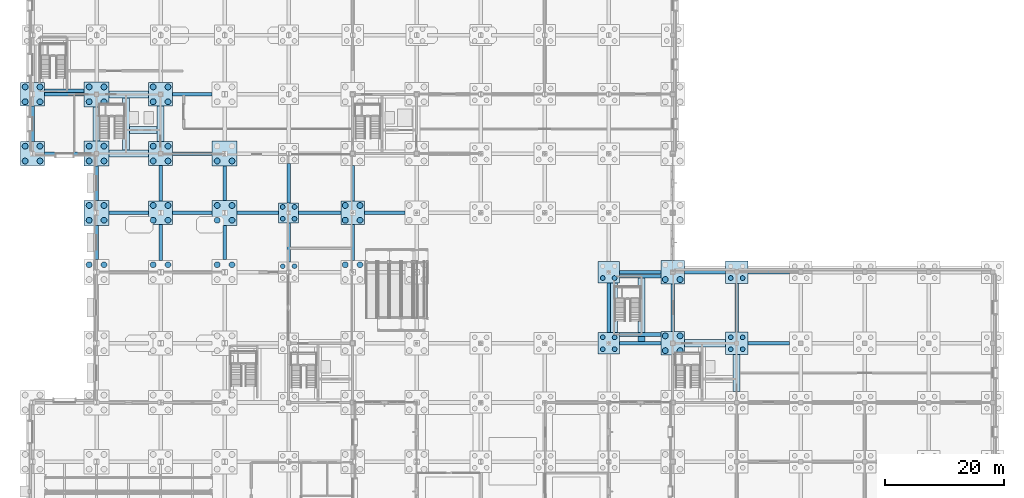
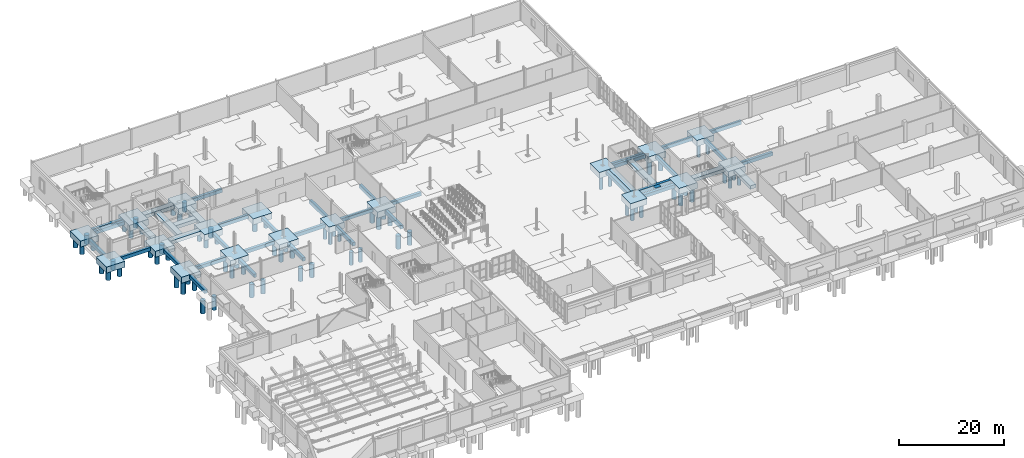
# One storey, part 4 of 73: 74 piles, 60 footings.
"""IFC4 building model written with IfcOpenShell, lengths in metres."""

from ifc_helpers import new_model, si_unit, direction, frame, origin, origin_2d, place, context, subcontext, project, spatial, rectangle, circle, extrude, material, material_profile, profile_set, type_object, element, save


model = new_model("IFC4")

# Units and contexts
model_context = context("Model", 3, precision=1e-05, world=origin(), true_north=direction((0.0, 1.0)))
body_context = subcontext(model_context, "Body", "Model", "MODEL_VIEW")
ifc_project = project(units=[si_unit("LENGTHUNIT", "METRE"), si_unit("AREAUNIT", "SQUARE_METRE"), si_unit("VOLUMEUNIT", "CUBIC_METRE"), si_unit("PLANEANGLEUNIT", "RADIAN"), si_unit("MASSUNIT", "GRAM", prefix="KILO")], contexts=[model_context])

# Site, building, storey
site_placement = place(None, origin())
site = spatial("IfcSite", under=ifc_project, at=site_placement, CompositionType="ELEMENT")
building_placement = place(site_placement, origin())
building = spatial("IfcBuilding", under=site, at=building_placement, Name="Tasgan Crest Museum", CompositionType="ELEMENT")
storey_placement = place(building_placement, origin())
storey = spatial("IfcBuildingStorey", under=building, at=storey_placement, Name="L00", CompositionType="ELEMENT", Elevation=0.0)

# Footings
ifc_material_1 = material(Name="Concrete C35/45", Category="concrete")
footing_type_1 = type_object("IfcFootingType", Name="FT-PC4-3400", PredefinedType="PILE_CAP", material=ifc_material_1)
footing_1_placement = place(storey_placement, frame((43.199951171875, 72.0, -1.39990234375), z_axis=(0.0, 0.0, 1.0), x_axis=(1.0, 0.0, 0.0)))
element("IfcFooting", 1, at=footing_1_placement, inside=storey, type_object=footing_type_1, Name="Pile cap 5/H", PredefinedType="PILE_CAP", context=body_context, shape_type="SweptSolid", body=[
    extrude(rectangle(XDim=3.39990234375, YDim=3.39990234375, at=origin_2d()), origin(), (0.0, 0.0, 1.0), 1.39990234375),
])
ifc_material_2 = material(Name="Concrete C35/45", Category="concrete")
footing_type_2 = type_object("IfcFootingType", Name="FT-PC4-3600", PredefinedType="PILE_CAP", material=ifc_material_2)
for number, where, z_axis, x_axis, name in (
    (2, (97.199951171875, 50.0, -1.39990234375), (0.0, 0.0, 1.0), (1.0, 0.0, 0.0), "Pile cap 10/F"),
    (3, (97.199951171875, 62.0, -1.39990234375), (0.0, 0.0, 1.0), (1.0, 0.0, 0.0), "Pile cap 10/G"),
):
    element("IfcFooting", number, at=place(storey_placement, frame(where, z_axis=z_axis, x_axis=x_axis)), inside=storey, type_object=footing_type_2, Name=name, PredefinedType="PILE_CAP", context=body_context, shape_type="SweptSolid", body=[
        extrude(rectangle(XDim=3.60009765625, YDim=3.60009765625, at=origin_2d()), origin(), (0.0, 0.0, 1.0), 1.39990234375),
    ])
ifc_material_3 = material(Name="Concrete C35/45", Category="concrete")
footing_type_3 = type_object("IfcFootingType", Name="FT-PC4-3800", PredefinedType="PILE_CAP", material=ifc_material_3)
for number, where, z_axis, x_axis, name in (
    (4, (118.800048828125, 50.0, -1.39990234375), (0.0, 0.0, 1.0), (1.0, 0.0, 0.0), "Pile cap 12/F"),
    (5, (118.800048828125, 62.0, -1.39990234375), (0.0, 0.0, 1.0), (1.0, 0.0, 0.0), "Pile cap 12/G"),
):
    element("IfcFooting", number, at=place(storey_placement, frame(where, z_axis=z_axis, x_axis=x_axis)), inside=storey, type_object=footing_type_3, Name=name, PredefinedType="PILE_CAP", context=body_context, shape_type="SweptSolid", body=[
        extrude(rectangle(XDim=3.800048828125, YDim=3.800048828125, at=origin_2d()), origin(), (0.0, 0.0, 1.0), 1.39990234375),
    ])
ifc_material_4 = material(Name="Concrete C35/45", Category="concrete")
footing_type_4 = type_object("IfcFootingType", Name="FT-PC4-4000", PredefinedType="PILE_CAP", material=ifc_material_4)
for number, where, z_axis, x_axis, name in (
    (6, (0.0, 82.0, -1.39990234375), (0.0, 0.0, 1.0), (1.0, 0.0, 0.0), "Pile cap 1/J"),
    (7, (0.0, 92.0, -1.39990234375), (0.0, 0.0, 1.0), (1.0, 0.0, 0.0), "Pile cap 1/K"),
    (8, (21.60009765625, 72.0, -1.39990234375), (0.0, 0.0, 1.0), (1.0, 0.0, 0.0), "Pile cap 3/H"),
    (9, (21.60009765625, 82.0, -1.39990234375), (0.0, 0.0, 1.0), (1.0, 0.0, 0.0), "Pile cap 3/J"),
    (10, (21.60009765625, 92.0, -1.39990234375), (0.0, 0.0, 1.0), (1.0, 0.0, 0.0), "Pile cap 3/K"),
    (11, (54.0, 72.0, -1.39990234375), (0.0, 0.0, 1.0), (1.0, 0.0, 0.0), "Pile cap 6/H"),
    (12, (108.0, 50.0, -1.39990234375), (0.0, 0.0, 1.0), (1.0, 0.0, 0.0), "Pile cap 11/F"),
    (13, (108.0, 62.0, -1.39990234375), (0.0, 0.0, 1.0), (1.0, 0.0, 0.0), "Pile cap 11/G"),
):
    element("IfcFooting", number, at=place(storey_placement, frame(where, z_axis=z_axis, x_axis=x_axis)), inside=storey, type_object=footing_type_4, Name=name, PredefinedType="PILE_CAP", context=body_context, shape_type="SweptSolid", body=[
        extrude(rectangle(XDim=4.0, YDim=4.0, at=origin_2d()), origin(), (0.0, 0.0, 1.0), 1.39990234375),
    ])
ifc_material_5 = material(Name="Concrete C35/45", Category="concrete")
footing_type_5 = type_object("IfcFootingType", Name="FT-PC4-4200", PredefinedType="PILE_CAP", material=ifc_material_5)
for number, where, z_axis, x_axis, name in (
    (14, (10.800048828125, 72.0, -1.39990234375), (0.0, 0.0, 1.0), (1.0, 0.0, 0.0), "Pile cap 2/H"),
    (15, (10.800048828125, 82.0, -1.39990234375), (0.0, 0.0, 1.0), (1.0, 0.0, 0.0), "Pile cap 2/J"),
    (16, (10.800048828125, 92.0, -1.39990234375), (0.0, 0.0, 1.0), (1.0, 0.0, 0.0), "Pile cap 2/K"),
    (17, (32.39990234375, 72.0, -1.39990234375), (0.0, 0.0, 1.0), (1.0, 0.0, 0.0), "Pile cap 4/H"),
    (18, (32.39990234375, 82.0, -1.39990234375), (0.0, 0.0, 1.0), (1.0, 0.0, 0.0), "Pile cap 4/J"),
):
    element("IfcFooting", number, at=place(storey_placement, frame(where, z_axis=z_axis, x_axis=x_axis)), inside=storey, type_object=footing_type_5, Name=name, PredefinedType="PILE_CAP", context=body_context, shape_type="SweptSolid", body=[
        extrude(rectangle(XDim=4.199951171875, YDim=4.199951171875, at=origin_2d()), origin(), (0.0, 0.0, 1.0), 1.39990234375),
    ])
ifc_material_6 = material(Name="Concrete C35/45", Category="concrete")
ifc_material_profile_1 = material_profile(ifc_material_6, rectangle(XDim=1.199951171875, YDim=0.800048828125, at=origin_2d()), Name="SF 1200x800")
ifc_profile_set_1 = profile_set([ifc_material_profile_1], Name="Concrete C35/45")
footing_type_6 = type_object("IfcFootingType", Name="FT-SF-1200X800", PredefinedType="STRIP_FOOTING", material=ifc_profile_set_1)
footing_2_placement = place(storey_placement, frame((15.75, 82.60009765625, -0.39990234375), z_axis=(0.0, 1.0, 0.0), x_axis=(-1.0, 0.0, 0.0)))
element("IfcFooting", 19, at=footing_2_placement, inside=storey, type_object=footing_type_6, Name="North-West Gallery Core dividing strip footing", PredefinedType="STRIP_FOOTING", context=body_context, shape_type="SweptSolid", body=[
    extrude(rectangle(XDim=1.199951171875, YDim=0.800048828125, at=origin_2d()), origin(), (0.0, 0.0, 1.0), 8.7998046875),
])
footing_3_placement = place(storey_placement, frame((16.35009765625, 85.949951171875, -0.39990234375), z_axis=(1.0, 0.0, 0.0), x_axis=(0.0, 1.0, 0.0)))
element("IfcFooting", 20, at=footing_3_placement, inside=storey, type_object=footing_type_6, Name="North-West Gallery Core shaft strip footing", PredefinedType="STRIP_FOOTING", context=body_context, shape_type="SweptSolid", body=[
    extrude(rectangle(XDim=1.199951171875, YDim=0.800048828125, at=origin_2d()), origin(), (0.0, 0.0, 1.0), 4.64990234375),
])
for number, where, z_axis, x_axis, name in (
    (21, (12.89990234375, 82.0, -0.39990234375), (1.0, 0.0, 0.0), (0.0, 1.0, 0.0), "North-West Gallery Core S strip footing"),
    (22, (12.89990234375, 92.0, -0.39990234375), (1.0, 0.0, 0.0), (0.0, 1.0, 0.0), "North-West Gallery Core N strip footing"),
):
    element("IfcFooting", number, at=place(storey_placement, frame(where, z_axis=z_axis, x_axis=x_axis)), inside=storey, type_object=footing_type_6, Name=name, PredefinedType="STRIP_FOOTING", context=body_context, shape_type="SweptSolid", body=[
        extrude(rectangle(XDim=1.199951171875, YDim=0.800048828125, at=origin_2d()), origin(), (0.0, 0.0, 1.0), 6.7001953125),
    ])
footing_4_placement = place(storey_placement, frame((10.800048828125, 84.10009765625, -0.39990234375), z_axis=(0.0, 1.0, 0.0), x_axis=(-1.0, 0.0, 0.0)))
element("IfcFooting", 23, at=footing_4_placement, inside=storey, type_object=footing_type_6, Name="North-West Gallery Core W strip footing", PredefinedType="STRIP_FOOTING", context=body_context, shape_type="SweptSolid", body=[
    extrude(rectangle(XDim=1.199951171875, YDim=0.800048828125, at=origin_2d()), origin(), (0.0, 0.0, 1.0), 5.7998046875),
])
footing_5_placement = place(storey_placement, frame((21.60009765625, 84.0, -0.39990234375), z_axis=(0.0, 1.0, 0.0), x_axis=(-1.0, 0.0, 0.0)))
element("IfcFooting", 24, at=footing_5_placement, inside=storey, type_object=footing_type_6, Name="North-West Gallery Core E strip footing", PredefinedType="STRIP_FOOTING", context=body_context, shape_type="SweptSolid", body=[
    extrude(rectangle(XDim=1.199951171875, YDim=0.800048828125, at=origin_2d()), origin(), (0.0, 0.0, 1.0), 6.0),
])
footing_6_placement = place(storey_placement, frame((110.0, 50.0, -0.39990234375), z_axis=(1.0, 0.0, 0.0), x_axis=(0.0, 1.0, 0.0)))
element("IfcFooting", 25, at=footing_6_placement, inside=storey, type_object=footing_type_6, Name="East Conservation Core N strip footing", PredefinedType="STRIP_FOOTING", context=body_context, shape_type="SweptSolid", body=[
    extrude(rectangle(XDim=1.199951171875, YDim=0.800048828125, at=origin_2d()), origin(), (0.0, 0.0, 1.0), 6.89990234375),
])
footing_7_placement = place(storey_placement, frame((118.800048828125, 41.89990234375, -0.39990234375), z_axis=(0.0, 1.0, 0.0), x_axis=(-1.0, 0.0, 0.0)))
element("IfcFooting", 26, at=footing_7_placement, inside=storey, type_object=footing_type_6, Name="East Conservation Core E strip footing", PredefinedType="STRIP_FOOTING", context=body_context, shape_type="SweptSolid", body=[
    extrude(rectangle(XDim=1.199951171875, YDim=0.800048828125, at=origin_2d()), origin(), (0.0, 0.0, 1.0), 6.2001953125),
])
footing_8_placement = place(storey_placement, frame((98.1201171875, 51.800048828125, -0.39990234375), z_axis=(0.0, 1.0, 0.0), x_axis=(-1.0, 0.0, 0.0)))
element("IfcFooting", 27, at=footing_8_placement, inside=storey, type_object=footing_type_6, Name="ATRIUM west footing", PredefinedType="STRIP_FOOTING", context=body_context, shape_type="SweptSolid", body=[
    extrude(rectangle(XDim=1.199951171875, YDim=0.800048828125, at=origin_2d()), origin(), (0.0, 0.0, 1.0), 8.39990234375),
])
footing_9_placement = place(storey_placement, frame((102.719970703125, 50.300048828125, -0.39990234375), z_axis=(0.0, 1.0, 0.0), x_axis=(-1.0, 0.0, 0.0)))
element("IfcFooting", 28, at=footing_9_placement, inside=storey, type_object=footing_type_6, Name="ATRIUM east footing-1", PredefinedType="STRIP_FOOTING", context=body_context, shape_type="SweptSolid", body=[
    extrude(rectangle(XDim=1.199951171875, YDim=0.800048828125, at=origin_2d()), origin(), (0.0, 0.0, 1.0), 0.8798828125),
])
footing_10_placement = place(storey_placement, frame((102.719970703125, 51.780029296875, -0.39990234375), z_axis=(0.0, 1.0, 0.0), x_axis=(-1.0, 0.0, 0.0)))
element("IfcFooting", 29, at=footing_10_placement, inside=storey, type_object=footing_type_6, Name="ATRIUM east footing-2", PredefinedType="STRIP_FOOTING", context=body_context, shape_type="SweptSolid", body=[
    extrude(rectangle(XDim=1.199951171875, YDim=0.800048828125, at=origin_2d()), origin(), (0.0, 0.0, 1.0), 9.18994140625),
])
ifc_material_7 = material(Name="Concrete C35/45", Category="concrete")
ifc_material_profile_2 = material_profile(ifc_material_7, rectangle(XDim=0.60009765625, YDim=0.800048828125, at=origin_2d()), Name="TB 600x800")
ifc_profile_set_2 = profile_set([ifc_material_profile_2], Name="Concrete C35/45")
footing_type_7 = type_object("IfcFootingType", Name="FT-TB-600X800", PredefinedType="FOOTING_BEAM", material=ifc_profile_set_2)
for number, where, z_axis, x_axis, name in (
    (30, (99.0, 50.0, -0.550048828125), (1.0, 0.0, 0.0), (0.0, 1.0, 0.0), "Ground tie beam F 97.2-108.0"),
    (31, (120.699951171875, 50.0, -0.550048828125), (1.0, 0.0, 0.0), (0.0, 1.0, 0.0), "Ground tie beam F 118.8-129.6"),
    (32, (99.0, 62.0, -0.550048828125), (1.0, 0.0, 0.0), (0.0, 1.0, 0.0), "Ground tie beam G 97.2-108.0"),
):
    element("IfcFooting", number, at=place(storey_placement, frame(where, z_axis=z_axis, x_axis=x_axis)), inside=storey, type_object=footing_type_7, Name=name, PredefinedType="FOOTING_BEAM", context=body_context, shape_type="SweptSolid", body=[
        extrude(rectangle(XDim=0.60009765625, YDim=0.800048828125, at=origin_2d()), origin(), (0.0, 0.0, 1.0), 7.0),
    ])
footing_11_placement = place(storey_placement, frame((110.0, 62.0, -0.550048828125), z_axis=(1.0, 0.0, 0.0), x_axis=(0.0, 1.0, 0.0)))
element("IfcFooting", 33, at=footing_11_placement, inside=storey, type_object=footing_type_7, Name="Ground tie beam G 108.0-118.8", PredefinedType="FOOTING_BEAM", context=body_context, shape_type="SweptSolid", body=[
    extrude(rectangle(XDim=0.60009765625, YDim=0.800048828125, at=origin_2d()), origin(), (0.0, 0.0, 1.0), 6.89990234375),
])
footing_12_placement = place(storey_placement, frame((120.699951171875, 62.0, -0.550048828125), z_axis=(1.0, 0.0, 0.0), x_axis=(0.0, 1.0, 0.0)))
element("IfcFooting", 34, at=footing_12_placement, inside=storey, type_object=footing_type_7, Name="Ground tie beam G 118.8-129.6", PredefinedType="FOOTING_BEAM", context=body_context, shape_type="SweptSolid", body=[
    extrude(rectangle(XDim=0.60009765625, YDim=0.800048828125, at=origin_2d()), origin(), (0.0, 0.0, 1.0), 7.0),
])
footing_13_placement = place(storey_placement, frame((12.89990234375, 72.0, -0.550048828125), z_axis=(1.0, 0.0, 0.0), x_axis=(0.0, 1.0, 0.0)))
element("IfcFooting", 35, at=footing_13_placement, inside=storey, type_object=footing_type_7, Name="Ground tie beam H 10.8-21.6", PredefinedType="FOOTING_BEAM", context=body_context, shape_type="SweptSolid", body=[
    extrude(rectangle(XDim=0.60009765625, YDim=0.800048828125, at=origin_2d()), origin(), (0.0, 0.0, 1.0), 6.7001953125),
])
footing_14_placement = place(storey_placement, frame((23.60009765625, 72.0, -0.550048828125), z_axis=(1.0, 0.0, 0.0), x_axis=(0.0, 1.0, 0.0)))
element("IfcFooting", 36, at=footing_14_placement, inside=storey, type_object=footing_type_7, Name="Ground tie beam H 21.6-32.4", PredefinedType="FOOTING_BEAM", context=body_context, shape_type="SweptSolid", body=[
    extrude(rectangle(XDim=0.60009765625, YDim=0.800048828125, at=origin_2d()), origin(), (0.0, 0.0, 1.0), 6.699951171875),
])
footing_15_placement = place(storey_placement, frame((34.5, 72.0, -0.550048828125), z_axis=(1.0, 0.0, 0.0), x_axis=(0.0, 1.0, 0.0)))
element("IfcFooting", 37, at=footing_15_placement, inside=storey, type_object=footing_type_7, Name="Ground tie beam H 32.4-43.2", PredefinedType="FOOTING_BEAM", context=body_context, shape_type="SweptSolid", body=[
    extrude(rectangle(XDim=0.60009765625, YDim=0.800048828125, at=origin_2d()), origin(), (0.0, 0.0, 1.0), 7.0),
])
footing_16_placement = place(storey_placement, frame((44.89990234375, 72.0, -0.550048828125), z_axis=(1.0, 0.0, 0.0), x_axis=(0.0, 1.0, 0.0)))
element("IfcFooting", 38, at=footing_16_placement, inside=storey, type_object=footing_type_7, Name="Ground tie beam H 43.2-54.0", PredefinedType="FOOTING_BEAM", context=body_context, shape_type="SweptSolid", body=[
    extrude(rectangle(XDim=0.60009765625, YDim=0.800048828125, at=origin_2d()), origin(), (0.0, 0.0, 1.0), 7.10009765625),
])
footing_17_placement = place(storey_placement, frame((56.0, 72.0, -0.550048828125), z_axis=(1.0, 0.0, 0.0), x_axis=(0.0, 1.0, 0.0)))
element("IfcFooting", 39, at=footing_17_placement, inside=storey, type_object=footing_type_7, Name="Ground tie beam H 54.0-64.8", PredefinedType="FOOTING_BEAM", context=body_context, shape_type="SweptSolid", body=[
    extrude(rectangle(XDim=0.60009765625, YDim=0.800048828125, at=origin_2d()), origin(), (0.0, 0.0, 1.0), 6.800048828125),
])
for number, where, z_axis, x_axis, name in (
    (40, (2.0, 82.0, -0.550048828125), (1.0, 0.0, 0.0), (0.0, 1.0, 0.0), "Ground tie beam J 0.0-10.8"),
    (41, (23.60009765625, 82.0, -0.550048828125), (1.0, 0.0, 0.0), (0.0, 1.0, 0.0), "Ground tie beam J 21.6-32.4"),
    (42, (2.0, 92.0, -0.550048828125), (1.0, 0.0, 0.0), (0.0, 1.0, 0.0), "Ground tie beam K 0.0-10.8"),
    (43, (23.60009765625, 92.0, -0.550048828125), (1.0, 0.0, 0.0), (0.0, 1.0, 0.0), "Ground tie beam K 21.6-32.4"),
):
    element("IfcFooting", number, at=place(storey_placement, frame(where, z_axis=z_axis, x_axis=x_axis)), inside=storey, type_object=footing_type_7, Name=name, PredefinedType="FOOTING_BEAM", context=body_context, shape_type="SweptSolid", body=[
        extrude(rectangle(XDim=0.60009765625, YDim=0.800048828125, at=origin_2d()), origin(), (0.0, 0.0, 1.0), 6.699951171875),
    ])
footing_18_placement = place(storey_placement, frame((0.0, 84.0, -0.550048828125), z_axis=(0.0, 1.0, 0.0), x_axis=(-1.0, 0.0, 0.0)))
element("IfcFooting", 44, at=footing_18_placement, inside=storey, type_object=footing_type_7, Name="Ground tie beam 1 82.0-92.0", PredefinedType="FOOTING_BEAM", context=body_context, shape_type="SweptSolid", body=[
    extrude(rectangle(XDim=0.60009765625, YDim=0.800048828125, at=origin_2d()), origin(), (0.0, 0.0, 1.0), 6.0),
])
for number, where, z_axis, x_axis, name in (
    (45, (10.800048828125, 64.10009765625, -0.550048828125), (0.0, 1.0, 0.0), (-1.0, 0.0, 0.0), "Ground tie beam 2 62.0-72.0"),
    (46, (10.800048828125, 74.10009765625, -0.550048828125), (0.0, 1.0, 0.0), (-1.0, 0.0, 0.0), "Ground tie beam 2 72.0-82.0"),
):
    element("IfcFooting", number, at=place(storey_placement, frame(where, z_axis=z_axis, x_axis=x_axis)), inside=storey, type_object=footing_type_7, Name=name, PredefinedType="FOOTING_BEAM", context=body_context, shape_type="SweptSolid", body=[
        extrude(rectangle(XDim=0.60009765625, YDim=0.800048828125, at=origin_2d()), origin(), (0.0, 0.0, 1.0), 5.7998046875),
    ])
for number, where, z_axis, x_axis, name in (
    (47, (21.60009765625, 64.0, -0.550048828125), (0.0, 1.0, 0.0), (-1.0, 0.0, 0.0), "Ground tie beam 3 62.0-72.0"),
    (48, (21.60009765625, 74.0, -0.550048828125), (0.0, 1.0, 0.0), (-1.0, 0.0, 0.0), "Ground tie beam 3 72.0-82.0"),
):
    element("IfcFooting", number, at=place(storey_placement, frame(where, z_axis=z_axis, x_axis=x_axis)), inside=storey, type_object=footing_type_7, Name=name, PredefinedType="FOOTING_BEAM", context=body_context, shape_type="SweptSolid", body=[
        extrude(rectangle(XDim=0.60009765625, YDim=0.800048828125, at=origin_2d()), origin(), (0.0, 0.0, 1.0), 6.0),
    ])
for number, where, z_axis, x_axis, name in (
    (49, (32.39990234375, 64.10009765625, -0.550048828125), (0.0, 1.0, 0.0), (-1.0, 0.0, 0.0), "Ground tie beam 4 62.0-72.0"),
    (50, (32.39990234375, 74.10009765625, -0.550048828125), (0.0, 1.0, 0.0), (-1.0, 0.0, 0.0), "Ground tie beam 4 72.0-82.0"),
):
    element("IfcFooting", number, at=place(storey_placement, frame(where, z_axis=z_axis, x_axis=x_axis)), inside=storey, type_object=footing_type_7, Name=name, PredefinedType="FOOTING_BEAM", context=body_context, shape_type="SweptSolid", body=[
        extrude(rectangle(XDim=0.60009765625, YDim=0.800048828125, at=origin_2d()), origin(), (0.0, 0.0, 1.0), 5.7998046875),
    ])
for number, where, z_axis, x_axis, name in (
    (51, (43.199951171875, 63.699951171875, -0.550048828125), (0.0, 1.0, 0.0), (-1.0, 0.0, 0.0), "Ground tie beam 5 62.0-72.0"),
    (52, (43.199951171875, 73.699951171875, -0.550048828125), (0.0, 1.0, 0.0), (-1.0, 0.0, 0.0), "Ground tie beam 5 72.0-82.0"),
):
    element("IfcFooting", number, at=place(storey_placement, frame(where, z_axis=z_axis, x_axis=x_axis)), inside=storey, type_object=footing_type_7, Name=name, PredefinedType="FOOTING_BEAM", context=body_context, shape_type="SweptSolid", body=[
        extrude(rectangle(XDim=0.60009765625, YDim=0.800048828125, at=origin_2d()), origin(), (0.0, 0.0, 1.0), 6.60009765625),
    ])
for number, where, z_axis, x_axis, name in (
    (53, (54.0, 64.0, -0.550048828125), (0.0, 1.0, 0.0), (-1.0, 0.0, 0.0), "Ground tie beam 6 62.0-72.0"),
    (54, (54.0, 74.0, -0.550048828125), (0.0, 1.0, 0.0), (-1.0, 0.0, 0.0), "Ground tie beam 6 72.0-82.0"),
):
    element("IfcFooting", number, at=place(storey_placement, frame(where, z_axis=z_axis, x_axis=x_axis)), inside=storey, type_object=footing_type_7, Name=name, PredefinedType="FOOTING_BEAM", context=body_context, shape_type="SweptSolid", body=[
        extrude(rectangle(XDim=0.60009765625, YDim=0.800048828125, at=origin_2d()), origin(), (0.0, 0.0, 1.0), 6.0),
    ])
footing_19_placement = place(storey_placement, frame((97.199951171875, 51.800048828125, -0.550048828125), z_axis=(0.0, 1.0, 0.0), x_axis=(-1.0, 0.0, 0.0)))
element("IfcFooting", 55, at=footing_19_placement, inside=storey, type_object=footing_type_7, Name="Ground tie beam 10 50.0-62.0", PredefinedType="FOOTING_BEAM", context=body_context, shape_type="SweptSolid", body=[
    extrude(rectangle(XDim=0.60009765625, YDim=0.800048828125, at=origin_2d()), origin(), (0.0, 0.0, 1.0), 8.39990234375),
])
footing_20_placement = place(storey_placement, frame((108.0, 52.0, -0.550048828125), z_axis=(0.0, 1.0, 0.0), x_axis=(-1.0, 0.0, 0.0)))
element("IfcFooting", 56, at=footing_20_placement, inside=storey, type_object=footing_type_7, Name="Ground tie beam 11 50.0-62.0", PredefinedType="FOOTING_BEAM", context=body_context, shape_type="SweptSolid", body=[
    extrude(rectangle(XDim=0.60009765625, YDim=0.800048828125, at=origin_2d()), origin(), (0.0, 0.0, 1.0), 8.0),
])
footing_21_placement = place(storey_placement, frame((118.800048828125, 51.89990234375, -0.550048828125), z_axis=(0.0, 1.0, 0.0), x_axis=(-1.0, 0.0, 0.0)))
element("IfcFooting", 57, at=footing_21_placement, inside=storey, type_object=footing_type_7, Name="Ground tie beam 12 50.0-62.0", PredefinedType="FOOTING_BEAM", context=body_context, shape_type="SweptSolid", body=[
    extrude(rectangle(XDim=0.60009765625, YDim=0.800048828125, at=origin_2d()), origin(), (0.0, 0.0, 1.0), 8.2001953125),
])
for number, where, z_axis, x_axis, name in (
    (58, (99.0, 61.27001953125, -0.39990234375), (1.0, 0.0, 0.0), (0.0, 1.0, 0.0), "ATRIUM north footing"),
    (59, (99.0, 51.47998046875, -0.39990234375), (1.0, 0.0, 0.0), (0.0, 1.0, 0.0), "ATRIUM south footing"),
):
    element("IfcFooting", number, at=place(storey_placement, frame(where, z_axis=z_axis, x_axis=x_axis)), inside=storey, type_object=footing_type_7, Name=name, PredefinedType="FOOTING_BEAM", context=body_context, shape_type="SweptSolid", body=[
        extrude(rectangle(XDim=0.60009765625, YDim=0.800048828125, at=origin_2d()), origin(), (0.0, 0.0, 1.0), 7.0),
    ])
footing_22_placement = place(storey_placement, frame((2.0, 92.60009765625, -0.39990234375), z_axis=(1.0, 0.0, 0.0), x_axis=(0.0, 1.0, 0.0)))
element("IfcFooting", 60, at=footing_22_placement, inside=storey, type_object=footing_type_7, Name="GALW south footing", PredefinedType="FOOTING_BEAM", context=body_context, shape_type="SweptSolid", body=[
    extrude(rectangle(XDim=0.60009765625, YDim=0.800048828125, at=origin_2d()), origin(), (0.0, 0.0, 1.0), 6.699951171875),
])

# Piles
ifc_material_8 = material(Name="Concrete C35/45", Category="concrete")
ifc_material_profile_3 = material_profile(ifc_material_8, circle(Radius=0.5, at=origin_2d()), Name="PILE D1000")
ifc_profile_set_3 = profile_set([ifc_material_profile_3], Name="Concrete C35/45")
pile_type_1 = type_object("IfcPileType", Name="PILE-B1000", PredefinedType="BORED", material=ifc_profile_set_3)
for number, where, z_axis, x_axis, name in (
    (61, (-1.25, 80.75, -1.39990234375), (0.0, 0.0, -1.0), (1.0, 0.0, 0.0), "Bored pile 1/J-P1"),
    (62, (1.25, 80.75, -1.39990234375), (0.0, 0.0, -1.0), (1.0, 0.0, 0.0), "Bored pile 1/J-P2"),
    (63, (-1.25, 83.25, -1.39990234375), (0.0, 0.0, -1.0), (1.0, 0.0, 0.0), "Bored pile 1/J-P3"),
    (64, (1.25, 83.25, -1.39990234375), (0.0, 0.0, -1.0), (1.0, 0.0, 0.0), "Bored pile 1/J-P4"),
    (65, (-1.25, 90.75, -1.39990234375), (0.0, 0.0, -1.0), (1.0, 0.0, 0.0), "Bored pile 1/K-P1"),
    (66, (1.25, 90.75, -1.39990234375), (0.0, 0.0, -1.0), (1.0, 0.0, 0.0), "Bored pile 1/K-P2"),
    (67, (-1.25, 93.25, -1.39990234375), (0.0, 0.0, -1.0), (1.0, 0.0, 0.0), "Bored pile 1/K-P3"),
    (68, (1.25, 93.25, -1.39990234375), (0.0, 0.0, -1.0), (1.0, 0.0, 0.0), "Bored pile 1/K-P4"),
):
    element("IfcPile", number, at=place(storey_placement, frame(where, z_axis=z_axis, x_axis=x_axis)), inside=storey, type_object=pile_type_1, Name=name, PredefinedType="BORED", context=body_context, shape_type="SweptSolid", body=[
        extrude(circle(Radius=0.5, at=origin_2d()), origin(), (0.0, 0.0, 1.0), 2.10009765625),
    ])
for number, where, z_axis, x_axis, name in (
    (69, (9.550048828125, 63.25, -1.39990234375), (0.0, 0.0, -1.0), (1.0, 0.0, 0.0), "Bored pile 2/G-P3"),
    (70, (12.050048828125, 63.25, -1.39990234375), (0.0, 0.0, -1.0), (1.0, 0.0, 0.0), "Bored pile 2/G-P4"),
    (71, (9.550048828125, 70.75, -1.39990234375), (0.0, 0.0, -1.0), (1.0, 0.0, 0.0), "Bored pile 2/H-P1"),
    (72, (12.050048828125, 70.75, -1.39990234375), (0.0, 0.0, -1.0), (1.0, 0.0, 0.0), "Bored pile 2/H-P2"),
    (73, (9.550048828125, 73.25, -1.39990234375), (0.0, 0.0, -1.0), (1.0, 0.0, 0.0), "Bored pile 2/H-P3"),
    (74, (12.050048828125, 73.25, -1.39990234375), (0.0, 0.0, -1.0), (1.0, 0.0, 0.0), "Bored pile 2/H-P4"),
):
    element("IfcPile", number, at=place(storey_placement, frame(where, z_axis=z_axis, x_axis=x_axis)), inside=storey, type_object=pile_type_1, Name=name, PredefinedType="BORED", context=body_context, shape_type="SweptSolid", body=[
        extrude(circle(Radius=0.5, at=origin_2d()), origin(), (0.0, 0.0, 1.0), 3.10009765625),
    ])
for number, where, z_axis, x_axis, name in (
    (75, (9.550048828125, 80.75, -1.39990234375), (0.0, 0.0, -1.0), (1.0, 0.0, 0.0), "Bored pile 2/J-P1"),
    (76, (12.050048828125, 80.75, -1.39990234375), (0.0, 0.0, -1.0), (1.0, 0.0, 0.0), "Bored pile 2/J-P2"),
    (77, (9.550048828125, 83.25, -1.39990234375), (0.0, 0.0, -1.0), (1.0, 0.0, 0.0), "Bored pile 2/J-P3"),
    (78, (12.050048828125, 83.25, -1.39990234375), (0.0, 0.0, -1.0), (1.0, 0.0, 0.0), "Bored pile 2/J-P4"),
    (79, (9.550048828125, 90.75, -1.39990234375), (0.0, 0.0, -1.0), (1.0, 0.0, 0.0), "Bored pile 2/K-P1"),
    (80, (12.050048828125, 90.75, -1.39990234375), (0.0, 0.0, -1.0), (1.0, 0.0, 0.0), "Bored pile 2/K-P2"),
    (81, (9.550048828125, 93.25, -1.39990234375), (0.0, 0.0, -1.0), (1.0, 0.0, 0.0), "Bored pile 2/K-P3"),
    (82, (12.050048828125, 93.25, -1.39990234375), (0.0, 0.0, -1.0), (1.0, 0.0, 0.0), "Bored pile 2/K-P4"),
):
    element("IfcPile", number, at=place(storey_placement, frame(where, z_axis=z_axis, x_axis=x_axis)), inside=storey, type_object=pile_type_1, Name=name, PredefinedType="BORED", context=body_context, shape_type="SweptSolid", body=[
        extrude(circle(Radius=0.5, at=origin_2d()), origin(), (0.0, 0.0, 1.0), 2.10009765625),
    ])
for number, where, z_axis, x_axis, name in (
    (83, (20.35009765625, 63.25, -1.39990234375), (0.0, 0.0, -1.0), (1.0, 0.0, 0.0), "Bored pile 3/G-P3"),
    (84, (22.85009765625, 63.25, -1.39990234375), (0.0, 0.0, -1.0), (1.0, 0.0, 0.0), "Bored pile 3/G-P4"),
    (85, (20.35009765625, 70.75, -1.39990234375), (0.0, 0.0, -1.0), (1.0, 0.0, 0.0), "Bored pile 3/H-P1"),
    (86, (22.85009765625, 70.75, -1.39990234375), (0.0, 0.0, -1.0), (1.0, 0.0, 0.0), "Bored pile 3/H-P2"),
    (87, (20.35009765625, 73.25, -1.39990234375), (0.0, 0.0, -1.0), (1.0, 0.0, 0.0), "Bored pile 3/H-P3"),
    (88, (22.85009765625, 73.25, -1.39990234375), (0.0, 0.0, -1.0), (1.0, 0.0, 0.0), "Bored pile 3/H-P4"),
):
    element("IfcPile", number, at=place(storey_placement, frame(where, z_axis=z_axis, x_axis=x_axis)), inside=storey, type_object=pile_type_1, Name=name, PredefinedType="BORED", context=body_context, shape_type="SweptSolid", body=[
        extrude(circle(Radius=0.5, at=origin_2d()), origin(), (0.0, 0.0, 1.0), 3.10009765625),
    ])
for number, where, z_axis, x_axis, name in (
    (89, (20.35009765625, 80.75, -1.39990234375), (0.0, 0.0, -1.0), (1.0, 0.0, 0.0), "Bored pile 3/J-P1"),
    (90, (22.85009765625, 80.75, -1.39990234375), (0.0, 0.0, -1.0), (1.0, 0.0, 0.0), "Bored pile 3/J-P2"),
    (91, (20.35009765625, 83.25, -1.39990234375), (0.0, 0.0, -1.0), (1.0, 0.0, 0.0), "Bored pile 3/J-P3"),
    (92, (22.85009765625, 83.25, -1.39990234375), (0.0, 0.0, -1.0), (1.0, 0.0, 0.0), "Bored pile 3/J-P4"),
    (93, (20.35009765625, 90.75, -1.39990234375), (0.0, 0.0, -1.0), (1.0, 0.0, 0.0), "Bored pile 3/K-P1"),
    (94, (22.85009765625, 90.75, -1.39990234375), (0.0, 0.0, -1.0), (1.0, 0.0, 0.0), "Bored pile 3/K-P2"),
    (95, (20.35009765625, 93.25, -1.39990234375), (0.0, 0.0, -1.0), (1.0, 0.0, 0.0), "Bored pile 3/K-P3"),
    (96, (22.85009765625, 93.25, -1.39990234375), (0.0, 0.0, -1.0), (1.0, 0.0, 0.0), "Bored pile 3/K-P4"),
):
    element("IfcPile", number, at=place(storey_placement, frame(where, z_axis=z_axis, x_axis=x_axis)), inside=storey, type_object=pile_type_1, Name=name, PredefinedType="BORED", context=body_context, shape_type="SweptSolid", body=[
        extrude(circle(Radius=0.5, at=origin_2d()), origin(), (0.0, 0.0, 1.0), 2.10009765625),
    ])
for number, where, z_axis, x_axis, name in (
    (97, (31.14990234375, 63.25, -1.39990234375), (0.0, 0.0, -1.0), (1.0, 0.0, 0.0), "Bored pile 4/G-P3"),
    (98, (33.64990234375, 63.25, -1.39990234375), (0.0, 0.0, -1.0), (1.0, 0.0, 0.0), "Bored pile 4/G-P4"),
    (99, (31.14990234375, 70.75, -1.39990234375), (0.0, 0.0, -1.0), (1.0, 0.0, 0.0), "Bored pile 4/H-P1"),
    (100, (33.64990234375, 70.75, -1.39990234375), (0.0, 0.0, -1.0), (1.0, 0.0, 0.0), "Bored pile 4/H-P2"),
    (101, (31.14990234375, 73.25, -1.39990234375), (0.0, 0.0, -1.0), (1.0, 0.0, 0.0), "Bored pile 4/H-P3"),
    (102, (33.64990234375, 73.25, -1.39990234375), (0.0, 0.0, -1.0), (1.0, 0.0, 0.0), "Bored pile 4/H-P4"),
):
    element("IfcPile", number, at=place(storey_placement, frame(where, z_axis=z_axis, x_axis=x_axis)), inside=storey, type_object=pile_type_1, Name=name, PredefinedType="BORED", context=body_context, shape_type="SweptSolid", body=[
        extrude(circle(Radius=0.5, at=origin_2d()), origin(), (0.0, 0.0, 1.0), 3.10009765625),
    ])
for number, where, z_axis, x_axis, name in (
    (103, (31.14990234375, 80.75, -1.39990234375), (0.0, 0.0, -1.0), (1.0, 0.0, 0.0), "Bored pile 4/J-P1"),
    (104, (33.64990234375, 80.75, -1.39990234375), (0.0, 0.0, -1.0), (1.0, 0.0, 0.0), "Bored pile 4/J-P2"),
):
    element("IfcPile", number, at=place(storey_placement, frame(where, z_axis=z_axis, x_axis=x_axis)), inside=storey, type_object=pile_type_1, Name=name, PredefinedType="BORED", context=body_context, shape_type="SweptSolid", body=[
        extrude(circle(Radius=0.5, at=origin_2d()), origin(), (0.0, 0.0, 1.0), 2.10009765625),
    ])
for number, where, z_axis, x_axis, name in (
    (105, (52.75, 63.25, -1.39990234375), (0.0, 0.0, -1.0), (1.0, 0.0, 0.0), "Bored pile 6/G-P3"),
    (106, (55.25, 63.25, -1.39990234375), (0.0, 0.0, -1.0), (1.0, 0.0, 0.0), "Bored pile 6/G-P4"),
    (107, (52.75, 70.75, -1.39990234375), (0.0, 0.0, -1.0), (1.0, 0.0, 0.0), "Bored pile 6/H-P1"),
    (108, (55.25, 70.75, -1.39990234375), (0.0, 0.0, -1.0), (1.0, 0.0, 0.0), "Bored pile 6/H-P2"),
    (109, (52.75, 73.25, -1.39990234375), (0.0, 0.0, -1.0), (1.0, 0.0, 0.0), "Bored pile 6/H-P3"),
    (110, (55.25, 73.25, -1.39990234375), (0.0, 0.0, -1.0), (1.0, 0.0, 0.0), "Bored pile 6/H-P4"),
    (111, (106.75, 48.75, -1.39990234375), (0.0, 0.0, -1.0), (1.0, 0.0, 0.0), "Bored pile 11/F-P1"),
    (112, (109.25, 48.75, -1.39990234375), (0.0, 0.0, -1.0), (1.0, 0.0, 0.0), "Bored pile 11/F-P2"),
    (113, (106.75, 51.25, -1.39990234375), (0.0, 0.0, -1.0), (1.0, 0.0, 0.0), "Bored pile 11/F-P3"),
    (114, (109.25, 51.25, -1.39990234375), (0.0, 0.0, -1.0), (1.0, 0.0, 0.0), "Bored pile 11/F-P4"),
    (115, (106.75, 60.75, -1.39990234375), (0.0, 0.0, -1.0), (1.0, 0.0, 0.0), "Bored pile 11/G-P1"),
    (116, (109.25, 60.75, -1.39990234375), (0.0, 0.0, -1.0), (1.0, 0.0, 0.0), "Bored pile 11/G-P2"),
):
    element("IfcPile", number, at=place(storey_placement, frame(where, z_axis=z_axis, x_axis=x_axis)), inside=storey, type_object=pile_type_1, Name=name, PredefinedType="BORED", context=body_context, shape_type="SweptSolid", body=[
        extrude(circle(Radius=0.5, at=origin_2d()), origin(), (0.0, 0.0, 1.0), 3.10009765625),
    ])
ifc_material_9 = material(Name="Concrete C35/45", Category="concrete")
ifc_material_profile_4 = material_profile(ifc_material_9, circle(Radius=0.39990234375, at=origin_2d()), Name="PILE D800")
ifc_profile_set_4 = profile_set([ifc_material_profile_4], Name="Concrete C35/45")
pile_type_2 = type_object("IfcPileType", Name="PILE-B800", PredefinedType="BORED", material=ifc_profile_set_4)
for number, where, z_axis, x_axis, name in (
    (117, (42.199951171875, 63.0, -1.39990234375), (0.0, 0.0, -1.0), (1.0, 0.0, 0.0), "Bored pile 5/G-P3"),
    (118, (44.199951171875, 63.0, -1.39990234375), (0.0, 0.0, -1.0), (1.0, 0.0, 0.0), "Bored pile 5/G-P4"),
    (119, (42.199951171875, 71.0, -1.39990234375), (0.0, 0.0, -1.0), (1.0, 0.0, 0.0), "Bored pile 5/H-P1"),
    (120, (44.199951171875, 71.0, -1.39990234375), (0.0, 0.0, -1.0), (1.0, 0.0, 0.0), "Bored pile 5/H-P2"),
    (121, (42.199951171875, 73.0, -1.39990234375), (0.0, 0.0, -1.0), (1.0, 0.0, 0.0), "Bored pile 5/H-P3"),
    (122, (44.199951171875, 73.0, -1.39990234375), (0.0, 0.0, -1.0), (1.0, 0.0, 0.0), "Bored pile 5/H-P4"),
    (123, (96.199951171875, 49.0, -1.39990234375), (0.0, 0.0, -1.0), (1.0, 0.0, 0.0), "Bored pile 10/F-P1"),
    (124, (98.199951171875, 49.0, -1.39990234375), (0.0, 0.0, -1.0), (1.0, 0.0, 0.0), "Bored pile 10/F-P2"),
    (125, (96.199951171875, 51.0, -1.39990234375), (0.0, 0.0, -1.0), (1.0, 0.0, 0.0), "Bored pile 10/F-P3"),
    (126, (98.199951171875, 51.0, -1.39990234375), (0.0, 0.0, -1.0), (1.0, 0.0, 0.0), "Bored pile 10/F-P4"),
    (127, (96.199951171875, 61.0, -1.39990234375), (0.0, 0.0, -1.0), (1.0, 0.0, 0.0), "Bored pile 10/G-P1"),
    (128, (98.199951171875, 61.0, -1.39990234375), (0.0, 0.0, -1.0), (1.0, 0.0, 0.0), "Bored pile 10/G-P2"),
    (129, (117.800048828125, 49.0, -1.39990234375), (0.0, 0.0, -1.0), (1.0, 0.0, 0.0), "Bored pile 12/F-P1"),
    (130, (119.800048828125, 49.0, -1.39990234375), (0.0, 0.0, -1.0), (1.0, 0.0, 0.0), "Bored pile 12/F-P2"),
    (131, (117.800048828125, 51.0, -1.39990234375), (0.0, 0.0, -1.0), (1.0, 0.0, 0.0), "Bored pile 12/F-P3"),
    (132, (119.800048828125, 51.0, -1.39990234375), (0.0, 0.0, -1.0), (1.0, 0.0, 0.0), "Bored pile 12/F-P4"),
    (133, (117.800048828125, 61.0, -1.39990234375), (0.0, 0.0, -1.0), (1.0, 0.0, 0.0), "Bored pile 12/G-P1"),
    (134, (119.800048828125, 61.0, -1.39990234375), (0.0, 0.0, -1.0), (1.0, 0.0, 0.0), "Bored pile 12/G-P2"),
):
    element("IfcPile", number, at=place(storey_placement, frame(where, z_axis=z_axis, x_axis=x_axis)), inside=storey, type_object=pile_type_2, Name=name, PredefinedType="BORED", context=body_context, shape_type="SweptSolid", body=[
        extrude(circle(Radius=0.39990234375, at=origin_2d()), origin(), (0.0, 0.0, 1.0), 3.10009765625),
    ])

save(model, "model.ifc")
